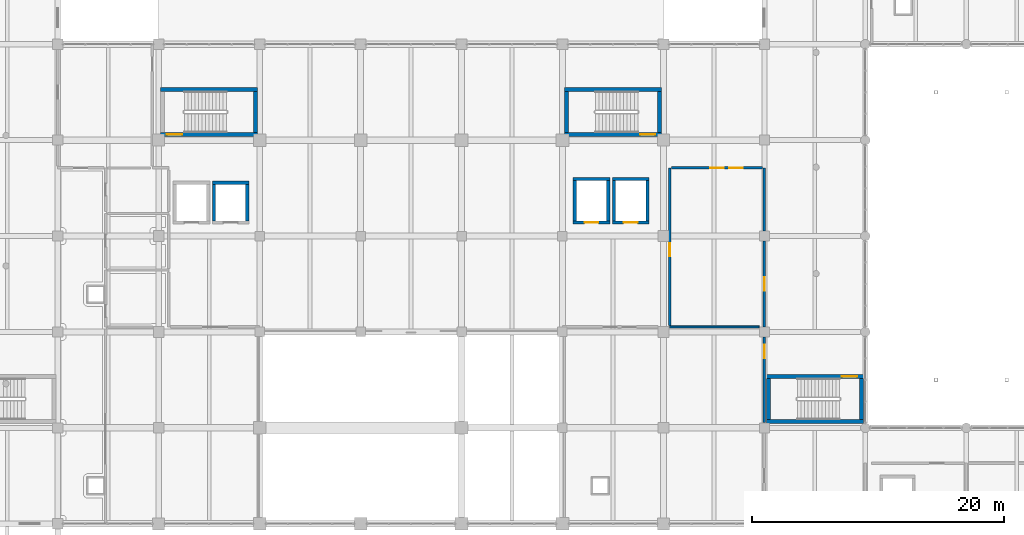
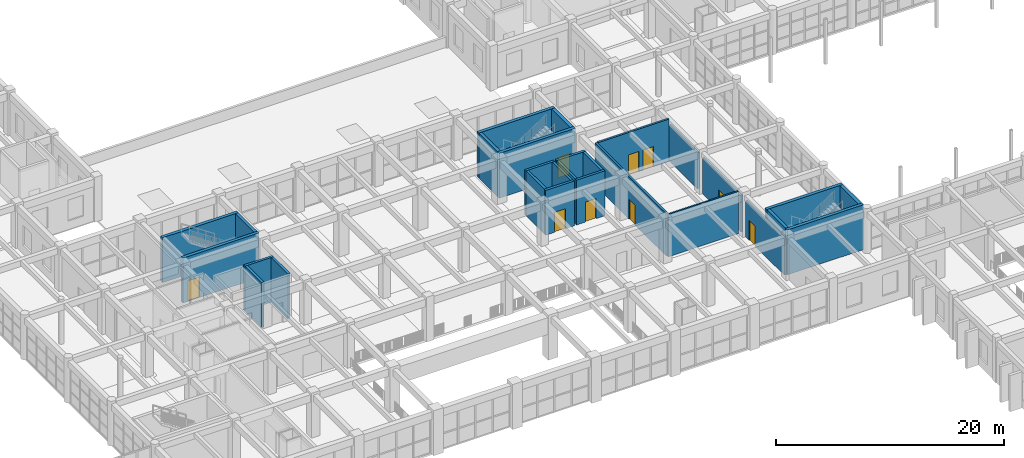
# One storey, part 75 of 101: 28 walls, 10 doors, 10 openings.
"""IFC4 building model written with IfcOpenShell, lengths in metres."""

from ifc_helpers import new_model, si_unit, direction, frame, frame_2d, origin, place, context, subcontext, project, spatial, rectangle, extrude, material, layer, layer_set, type_object, element, fill, save


model = new_model("IFC4")

# Units and contexts
model_context = context("Model", 3, precision=1e-05, world=origin(), true_north=direction((0.0, 1.0)))
body_context = subcontext(model_context, "Body", "Model", "MODEL_VIEW")
ifc_project = project(units=[si_unit("LENGTHUNIT", "METRE"), si_unit("AREAUNIT", "SQUARE_METRE"), si_unit("VOLUMEUNIT", "CUBIC_METRE"), si_unit("PLANEANGLEUNIT", "RADIAN"), si_unit("MASSUNIT", "GRAM", prefix="KILO")], contexts=[model_context])

# Site, building, storey
site_placement = place(None, origin())
site = spatial("IfcSite", under=ifc_project, at=site_placement, CompositionType="ELEMENT")
building_placement = place(site_placement, origin())
building = spatial("IfcBuilding", under=site, at=building_placement, Name="Zantavel Square City Hall", CompositionType="ELEMENT")
storey_placement = place(building_placement, frame((0.0, 0.0, 5.39990234375)))
storey = spatial("IfcBuildingStorey", under=building, at=storey_placement, Name="L02", CompositionType="ELEMENT", Elevation=5.39990234375)

# Walls
ifc_material_1 = material(Name="Concrete C40/50", Category="concrete")
ifc_layer_1 = layer(ifc_material_1, 0.320068359375, Name="Concrete C40/50")
ifc_layer_set_1 = layer_set([ifc_layer_1], Name="Concrete C40/50")
wall_type_1 = type_object("IfcWallType", Name="Core Shear Wall RC 320mm C40/50", PredefinedType="SHEAR", material=ifc_layer_set_1)
wall_1_placement = place(storey_placement, frame((119.85009765625, 38.489990234375, 0.0), z_axis=(0.0, 0.0, 1.0), x_axis=(-1.0, 0.0, 0.0)))
element("IfcWall", 1, at=wall_1_placement, inside=storey, type_object=wall_type_1, Name="L02 Exit Stair 4 East Annex Core Shear Wall South", PredefinedType="SHEAR", context=body_context, shape_type="SweptSolid", body=[
    extrude(rectangle(XDim=7.7001953125, YDim=0.320068359375, at=frame_2d((3.85009765625, 0.0))), origin(), (0.0, 0.0, 1.0), 4.800048828125),
])
wall_2_placement = place(storey_placement, frame((112.31005859375, 38.64990234375, 0.0), z_axis=(0.0, 0.0, 1.0), x_axis=(0.0, 1.0, 0.0)))
element("IfcWall", 2, at=wall_2_placement, inside=storey, type_object=wall_type_1, Name="L02 Exit Stair 4 East Annex Core Shear Wall West", PredefinedType="SHEAR", context=body_context, shape_type="SweptSolid", body=[
    extrude(rectangle(XDim=3.27001953125, YDim=0.320068359375, at=frame_2d((1.635009765625, 0.0))), origin(), (0.0, 0.0, 1.0), 4.800048828125),
])

# Wall, opening, door
wall_3_placement = place(storey_placement, frame((112.14990234375, 42.080078125, 0.0), z_axis=(0.0, 0.0, 1.0), x_axis=(1.0, 0.0, 0.0)))
wall_3 = element("IfcWall", 3, at=wall_3_placement, inside=storey, type_object=wall_type_1, Name="L02 Exit Stair 4 East Annex Core Shear Wall North", PredefinedType="SHEAR", context=body_context, shape_type="SweptSolid", body=[
    extrude(rectangle(XDim=7.7001953125, YDim=0.320068359375, at=frame_2d((3.85009765625, 0.0))), origin(), (0.0, 0.0, 1.0), 4.800048828125),
])
opening_1_placement = place(wall_3_placement, frame((6.0, 0.0, 0.0)))
opening_1 = element("IfcOpeningElement", 4, at=opening_1_placement, cuts=wall_3, Name="Opening SD-018", PredefinedType="OPENING", context=body_context, shape_type="SweptSolid", body=[
    extrude(rectangle(XDim=1.199951171875, YDim=2.199951171875, at=frame_2d((0.60009765625, 1.10009765625))), frame((0.0, 0.169921875, 0.0), z_axis=(0.0, -1.0, 0.0), x_axis=(1.0, 0.0, 0.0)), (0.0, 0.0, 1.0), 0.340087890625),
])
ifc_material_2 = material(Name="Steel ASTM A500 Grade B", Category="steel")
door_type_1 = type_object("IfcDoorType", Name="Enclosed Exit Stairwell Fire Door 1200x2200 FD90S", OperationType="NOTDEFINED", PredefinedType="DOOR", material=ifc_material_2)
door_1_placement = place(opening_1_placement, origin())
door_1 = element("IfcDoor", 5, at=door_1_placement, inside=storey, type_object=door_type_1, Name="L02 Exit Stair 4 East Annex Core Fire Door", OperationType="SINGLE_SWING_RIGHT", OverallHeight=2.199951171875, OverallWidth=1.199951171875, PredefinedType="DOOR", context=body_context, shape_type="SweptSolid", body=[
    extrude(rectangle(XDim=1.199951171875, YDim=2.199951171875, at=frame_2d((0.60009765625, 1.10009765625))), frame((0.0, 0.02490234375, 0.0), z_axis=(0.0, -1.0, 0.0), x_axis=(1.0, 0.0, 0.0)), (0.0, 0.0, 1.0), 0.050048828125),
])
fill(opening_1, door_1)

# Wall
wall_4_placement = place(storey_placement, frame((119.68994140625, 41.919921875, 0.0), z_axis=(0.0, 0.0, 1.0), x_axis=(0.0, -1.0, 0.0)))
element("IfcWall", 6, at=wall_4_placement, inside=storey, type_object=wall_type_1, Name="L02 Exit Stair 4 East Annex Core Shear Wall East", PredefinedType="SHEAR", context=body_context, shape_type="SweptSolid", body=[
    extrude(rectangle(XDim=3.27001953125, YDim=0.320068359375, at=frame_2d((1.635009765625, 0.0))), origin(), (0.0, 0.0, 1.0), 4.800048828125),
])

# Wall, opening, door
wall_5_placement = place(storey_placement, frame((71.85009765625, 61.239990234375, 0.0), z_axis=(0.0, 0.0, 1.0), x_axis=(-1.0, 0.0, 0.0)))
wall_5 = element("IfcWall", 7, at=wall_5_placement, inside=storey, type_object=wall_type_1, Name="L02 Exit Stair 5 Central West Core Shear Wall South", PredefinedType="SHEAR", context=body_context, shape_type="SweptSolid", body=[
    extrude(rectangle(XDim=7.7001953125, YDim=0.320068359375, at=frame_2d((3.85009765625, 0.0))), origin(), (0.0, 0.0, 1.0), 4.800048828125),
])
opening_2_placement = place(wall_5_placement, frame((6.0, 0.0, 0.0)))
opening_2 = element("IfcOpeningElement", 8, at=opening_2_placement, cuts=wall_5, Name="Opening SD-021", PredefinedType="OPENING", context=body_context, shape_type="SweptSolid", body=[
    extrude(rectangle(XDim=1.199951171875, YDim=2.199951171875, at=frame_2d((0.60009765625, 1.10009765625))), frame((0.0, 0.169921875, 0.0), z_axis=(0.0, -1.0, 0.0), x_axis=(1.0, 0.0, 0.0)), (0.0, 0.0, 1.0), 0.340087890625),
])
door_2_placement = place(opening_2_placement, origin())
door_2 = element("IfcDoor", 9, at=door_2_placement, inside=storey, type_object=door_type_1, Name="L02 Exit Stair 5 Central West Core Fire Door", OperationType="SINGLE_SWING_LEFT", OverallHeight=2.199951171875, OverallWidth=1.199951171875, PredefinedType="DOOR", context=body_context, shape_type="SweptSolid", body=[
    extrude(rectangle(XDim=1.199951171875, YDim=2.199951171875, at=frame_2d((0.60009765625, 1.10009765625))), frame((0.0, 0.02490234375, 0.0), z_axis=(0.0, -1.0, 0.0), x_axis=(1.0, 0.0, 0.0)), (0.0, 0.0, 1.0), 0.050048828125),
])
fill(opening_2, door_2)

# Walls
wall_6_placement = place(storey_placement, frame((64.14990234375, 64.830078125, 0.0), z_axis=(0.0, 0.0, 1.0), x_axis=(1.0, 0.0, 0.0)))
element("IfcWall", 10, at=wall_6_placement, inside=storey, type_object=wall_type_1, Name="L02 Exit Stair 5 Central West Core Shear Wall North", PredefinedType="SHEAR", context=body_context, shape_type="SweptSolid", body=[
    extrude(rectangle(XDim=7.7001953125, YDim=0.320068359375, at=frame_2d((3.85009765625, 0.0))), origin(), (0.0, 0.0, 1.0), 4.800048828125),
])
wall_7_placement = place(storey_placement, frame((71.68994140625, 64.669921875, 0.0), z_axis=(0.0, 0.0, 1.0), x_axis=(0.0, -1.0, 0.0)))
element("IfcWall", 11, at=wall_7_placement, inside=storey, type_object=wall_type_1, Name="L02 Exit Stair 5 Central West Core Shear Wall East", PredefinedType="SHEAR", context=body_context, shape_type="SweptSolid", body=[
    extrude(rectangle(XDim=3.27001953125, YDim=0.320068359375, at=frame_2d((1.635009765625, 0.0))), origin(), (0.0, 0.0, 1.0), 4.800048828125),
])

# Wall, opening, door
wall_8_placement = place(storey_placement, frame((103.85009765625, 61.239990234375, 0.0), z_axis=(0.0, 0.0, 1.0), x_axis=(-1.0, 0.0, 0.0)))
wall_8 = element("IfcWall", 12, at=wall_8_placement, inside=storey, type_object=wall_type_1, Name="L02 Exit Stair 6 Central East Core Shear Wall South", PredefinedType="SHEAR", context=body_context, shape_type="SweptSolid", body=[
    extrude(rectangle(XDim=7.7001953125, YDim=0.320068359375, at=frame_2d((3.85009765625, 0.0))), origin(), (0.0, 0.0, 1.0), 4.800048828125),
])
opening_3_placement = place(wall_8_placement, frame((0.5, 0.0, 0.0)))
opening_3 = element("IfcOpeningElement", 13, at=opening_3_placement, cuts=wall_8, Name="Opening SD-028", PredefinedType="OPENING", context=body_context, shape_type="SweptSolid", body=[
    extrude(rectangle(XDim=1.199951171875, YDim=2.199951171875, at=frame_2d((0.60009765625, 1.10009765625))), frame((0.0, 0.169921875, 0.0), z_axis=(0.0, -1.0, 0.0), x_axis=(1.0, 0.0, 0.0)), (0.0, 0.0, 1.0), 0.340087890625),
])
door_3_placement = place(opening_3_placement, origin())
door_3 = element("IfcDoor", 14, at=door_3_placement, inside=storey, type_object=door_type_1, Name="L02 Exit Stair 6 Central East Core Fire Door", OperationType="SINGLE_SWING_RIGHT", OverallHeight=2.199951171875, OverallWidth=1.199951171875, PredefinedType="DOOR", context=body_context, shape_type="SweptSolid", body=[
    extrude(rectangle(XDim=1.199951171875, YDim=2.199951171875, at=frame_2d((0.60009765625, 1.10009765625))), frame((0.0, 0.02490234375, 0.0), z_axis=(0.0, -1.0, 0.0), x_axis=(1.0, 0.0, 0.0)), (0.0, 0.0, 1.0), 0.050048828125),
])
fill(opening_3, door_3)

# Walls
wall_9_placement = place(storey_placement, frame((96.31005859375, 61.39990234375, 0.0), z_axis=(0.0, 0.0, 1.0), x_axis=(0.0, 1.0, 0.0)))
element("IfcWall", 15, at=wall_9_placement, inside=storey, type_object=wall_type_1, Name="L02 Exit Stair 6 Central East Core Shear Wall West", PredefinedType="SHEAR", context=body_context, shape_type="SweptSolid", body=[
    extrude(rectangle(XDim=3.27001953125, YDim=0.320068359375, at=frame_2d((1.635009765625, 0.0))), origin(), (0.0, 0.0, 1.0), 4.800048828125),
])
wall_10_placement = place(storey_placement, frame((96.14990234375, 64.830078125, 0.0), z_axis=(0.0, 0.0, 1.0), x_axis=(1.0, 0.0, 0.0)))
element("IfcWall", 16, at=wall_10_placement, inside=storey, type_object=wall_type_1, Name="L02 Exit Stair 6 Central East Core Shear Wall North", PredefinedType="SHEAR", context=body_context, shape_type="SweptSolid", body=[
    extrude(rectangle(XDim=7.7001953125, YDim=0.320068359375, at=frame_2d((3.85009765625, 0.0))), origin(), (0.0, 0.0, 1.0), 4.800048828125),
])
wall_11_placement = place(storey_placement, frame((103.68994140625, 64.669921875, 0.0), z_axis=(0.0, 0.0, 1.0), x_axis=(0.0, -1.0, 0.0)))
element("IfcWall", 17, at=wall_11_placement, inside=storey, type_object=wall_type_1, Name="L02 Exit Stair 6 Central East Core Shear Wall East", PredefinedType="SHEAR", context=body_context, shape_type="SweptSolid", body=[
    extrude(rectangle(XDim=3.27001953125, YDim=0.320068359375, at=frame_2d((1.635009765625, 0.0))), origin(), (0.0, 0.0, 1.0), 4.800048828125),
])
ifc_material_3 = material(Name="Gypsum acoustic stud assembly", Category="masonry")
ifc_layer_2 = layer(ifc_material_3, 0.14990234375, Name="Gypsum acoustic stud assembly")
ifc_layer_set_2 = layer_set([ifc_layer_2], Name="Gypsum acoustic stud assembly")
wall_type_2 = type_object("IfcWallType", Name="Department Office Partition 150mm", PredefinedType="PARTITIONING", material=ifc_layer_set_2)
wall_12_placement = place(storey_placement, frame((104.5, 46.0, 0.0), z_axis=(0.0, 0.0, 1.0), x_axis=(1.0, 0.0, 0.0)))
element("IfcWall", 18, at=wall_12_placement, inside=storey, type_object=wall_type_2, Name="L02 Interior Wall IW-L02-0193", PredefinedType="PARTITIONING", context=body_context, shape_type="SweptSolid", body=[
    extrude(rectangle(XDim=7.090087890625, YDim=0.14990234375, at=frame_2d((3.544921875, 0.0))), origin(), (0.0, 0.0, 1.0), 4.5400390625),
])

# Wall, opening, door
ifc_material_4 = material(Name="Cantera volcanic tuff stone", Category="masonry")
ifc_layer_3 = layer(ifc_material_4, 0.199951171875, Name="Cantera volcanic tuff stone")
ifc_layer_set_3 = layer_set([ifc_layer_3], Name="Cantera volcanic tuff stone")
wall_type_3 = type_object("IfcWallType", Name="Exit Corridor Rated Wall 200mm", PredefinedType="STANDARD", material=ifc_layer_set_3)
wall_13_placement = place(storey_placement, frame((112.0, 45.18994140625, 0.0), z_axis=(0.0, 0.0, 1.0), x_axis=(0.0, -1.0, 0.0)))
wall_13 = element("IfcWall", 19, at=wall_13_placement, inside=storey, type_object=wall_type_3, Name="L02 Interior Wall IW-L02-0194", PredefinedType="STANDARD", context=body_context, shape_type="SweptSolid", body=[
    extrude(rectangle(XDim=6.780029296875, YDim=0.199951171875, at=frame_2d((3.39013671875, 0.0))), origin(), (0.0, 0.0, 1.0), 3.8701171875),
])
opening_4_placement = place(wall_13_placement, frame((0.614990234375, 0.0, 0.0)))
opening_4 = element("IfcOpeningElement", 20, at=opening_4_placement, cuts=wall_13, Name="Opening D-0086", PredefinedType="OPENING", context=body_context, shape_type="SweptSolid", body=[
    extrude(rectangle(XDim=1.050048828125, YDim=2.14990234375, at=frame_2d((0.52490234375, 1.074951171875))), frame((0.0, 0.10986328125, 0.0), z_axis=(0.0, -1.0, 0.0), x_axis=(1.0, 0.0, 0.0)), (0.0, 0.0, 1.0), 0.219970703125),
])
ifc_material_5 = material(Name="Solid oak hardwood", Category="wood")
door_type_2 = type_object("IfcDoorType", Name="Corridor Office Oak Fire Door 1050x2150 FD60S", OperationType="NOTDEFINED", PredefinedType="DOOR", material=ifc_material_5)
door_4_placement = place(opening_4_placement, origin())
door_4 = element("IfcDoor", 21, at=door_4_placement, inside=storey, type_object=door_type_2, Name="L02 Civic Media Production Suite Door", OperationType="SINGLE_SWING_RIGHT", OverallHeight=2.14990234375, OverallWidth=1.050048828125, PredefinedType="DOOR", context=body_context, shape_type="SweptSolid", body=[
    extrude(rectangle(XDim=1.050048828125, YDim=2.14990234375, at=frame_2d((0.52490234375, 1.074951171875))), frame((0.0, 0.02490234375, 0.0), z_axis=(0.0, -1.0, 0.0), x_axis=(1.0, 0.0, 0.0)), (0.0, 0.0, 1.0), 0.050048828125),
])
fill(opening_4, door_4)

# Wall
wall_14_placement = place(storey_placement, frame((112.0, 58.60009765625, 0.0), z_axis=(0.0, 0.0, 1.0), x_axis=(0.0, -1.0, 0.0)))
element("IfcWall", 22, at=wall_14_placement, inside=storey, type_object=wall_type_3, Name="L02 Interior Wall IW-L02-0197", PredefinedType="STANDARD", context=body_context, shape_type="SweptSolid", body=[
    extrude(rectangle(XDim=4.989990234375, YDim=0.199951171875, at=frame_2d((2.4951171875, 0.0))), origin(), (0.0, 0.0, 1.0), 3.8701171875),
])

# Wall, opening, door
wall_15_placement = place(storey_placement, frame((112.0, 52.7900390625, 0.0), z_axis=(0.0, 0.0, 1.0), x_axis=(0.0, -1.0, 0.0)))
wall_15 = element("IfcWall", 23, at=wall_15_placement, inside=storey, type_object=wall_type_3, Name="L02 Interior Wall IW-L02-0198", PredefinedType="STANDARD", context=body_context, shape_type="SweptSolid", body=[
    extrude(rectangle(XDim=6.780029296875, YDim=0.199951171875, at=frame_2d((3.39013671875, 0.0))), origin(), (0.0, 0.0, 1.0), 3.8701171875),
])
opening_5_placement = place(wall_15_placement, frame((2.864990234375, 0.0, 0.0)))
opening_5 = element("IfcOpeningElement", 24, at=opening_5_placement, cuts=wall_15, Name="Opening D-0088", PredefinedType="OPENING", context=body_context, shape_type="SweptSolid", body=[
    extrude(rectangle(XDim=1.050048828125, YDim=2.14990234375, at=frame_2d((0.52490234375, 1.074951171875))), frame((0.0, 0.10986328125, 0.0), z_axis=(0.0, -1.0, 0.0), x_axis=(1.0, 0.0, 0.0)), (0.0, 0.0, 1.0), 0.219970703125),
])
door_5_placement = place(opening_5_placement, origin())
door_5 = element("IfcDoor", 25, at=door_5_placement, inside=storey, type_object=door_type_2, Name="L02 Public Transparency Office Door", OperationType="SINGLE_SWING_RIGHT", OverallHeight=2.14990234375, OverallWidth=1.050048828125, PredefinedType="DOOR", context=body_context, shape_type="SweptSolid", body=[
    extrude(rectangle(XDim=1.050048828125, YDim=2.14990234375, at=frame_2d((0.52490234375, 1.074951171875))), frame((0.0, 0.02490234375, 0.0), z_axis=(0.0, -1.0, 0.0), x_axis=(1.0, 0.0, 0.0)), (0.0, 0.0, 1.0), 0.050048828125),
])
fill(opening_5, door_5)

wall_16_placement = place(storey_placement, frame((104.5, 46.125, 0.0), z_axis=(0.0, 0.0, 1.0), x_axis=(0.0, 1.0, 0.0)))
wall_16 = element("IfcWall", 26, at=wall_16_placement, inside=storey, type_object=wall_type_3, Name="L02 Interior Wall IW-L02-0199", PredefinedType="STANDARD", context=body_context, shape_type="SweptSolid", body=[
    extrude(rectangle(XDim=12.47509765625, YDim=0.199951171875, at=frame_2d((6.237548828125, 0.0))), origin(), (0.0, 0.0, 1.0), 4.5400390625),
])
opening_6_placement = place(wall_16_placement, frame((5.46240234375, 0.0, 0.0)))
opening_6 = element("IfcOpeningElement", 27, at=opening_6_placement, cuts=wall_16, Name="Opening D-0089", PredefinedType="OPENING", context=body_context, shape_type="SweptSolid", body=[
    extrude(rectangle(XDim=1.050048828125, YDim=2.14990234375, at=frame_2d((0.52490234375, 1.074951171875))), frame((0.0, 0.10986328125, 0.0), z_axis=(0.0, -1.0, 0.0), x_axis=(1.0, 0.0, 0.0)), (0.0, 0.0, 1.0), 0.219970703125),
])
door_6_placement = place(opening_6_placement, origin())
door_6 = element("IfcDoor", 28, at=door_6_placement, inside=storey, type_object=door_type_2, Name="L02 Public Transparency Office Door", OperationType="SINGLE_SWING_LEFT", OverallHeight=2.14990234375, OverallWidth=1.050048828125, PredefinedType="DOOR", context=body_context, shape_type="SweptSolid", body=[
    extrude(rectangle(XDim=1.050048828125, YDim=2.14990234375, at=frame_2d((0.52490234375, 1.074951171875))), frame((0.0, 0.02490234375, 0.0), z_axis=(0.0, -1.0, 0.0), x_axis=(1.0, 0.0, 0.0)), (0.0, 0.0, 1.0), 0.050048828125),
])
fill(opening_6, door_6)

# Wall, openings, doors
wall_17_placement = place(storey_placement, frame((104.64990234375, 58.60009765625, 0.0), z_axis=(0.0, 0.0, 1.0), x_axis=(1.0, 0.0, 0.0)))
wall_17 = element("IfcWall", 29, at=wall_17_placement, inside=storey, type_object=wall_type_3, Name="L02 Interior Wall IW-L02-0200", PredefinedType="STANDARD", context=body_context, shape_type="SweptSolid", body=[
    extrude(rectangle(XDim=7.2001953125, YDim=0.199951171875, at=frame_2d((3.60009765625, 0.0))), origin(), (0.0, 0.0, 1.0), 4.5400390625),
])
opening_7_placement = place(wall_17_placement, frame((3.074951171875, 0.0, 0.0)))
opening_7 = element("IfcOpeningElement", 30, at=opening_7_placement, cuts=wall_17, Name="Opening D-0090", PredefinedType="OPENING", context=body_context, shape_type="SweptSolid", body=[
    extrude(rectangle(XDim=1.050048828125, YDim=2.14990234375, at=frame_2d((0.52490234375, 1.074951171875))), frame((0.0, 0.10986328125, 0.0), z_axis=(0.0, -1.0, 0.0), x_axis=(1.0, 0.0, 0.0)), (0.0, 0.0, 1.0), 0.219970703125),
])
opening_8_placement = place(wall_17_placement, frame((4.574951171875, 0.0, 0.0)))
opening_8 = element("IfcOpeningElement", 31, at=opening_8_placement, cuts=wall_17, Name="Opening D-0110", PredefinedType="OPENING", context=body_context, shape_type="SweptSolid", body=[
    extrude(rectangle(XDim=1.050048828125, YDim=2.14990234375, at=frame_2d((0.52490234375, 1.074951171875))), frame((0.0, 0.10986328125, 0.0), z_axis=(0.0, -1.0, 0.0), x_axis=(1.0, 0.0, 0.0)), (0.0, 0.0, 1.0), 0.219970703125),
])
door_7_placement = place(opening_7_placement, origin())
door_7 = element("IfcDoor", 32, at=door_7_placement, inside=storey, type_object=door_type_2, Name="L02 Public Transparency Office Door", OperationType="SINGLE_SWING_RIGHT", OverallHeight=2.14990234375, OverallWidth=1.050048828125, PredefinedType="DOOR", context=body_context, shape_type="SweptSolid", body=[
    extrude(rectangle(XDim=1.050048828125, YDim=2.14990234375, at=frame_2d((0.52490234375, 1.074951171875))), frame((0.0, 0.02490234375, 0.0), z_axis=(0.0, -1.0, 0.0), x_axis=(1.0, 0.0, 0.0)), (0.0, 0.0, 1.0), 0.050048828125),
])
fill(opening_7, door_7)
door_8_placement = place(opening_8_placement, origin())
door_8 = element("IfcDoor", 33, at=door_8_placement, inside=storey, type_object=door_type_2, Name="L02 Public Transparency Office Door", OperationType="SINGLE_SWING_RIGHT", OverallHeight=2.14990234375, OverallWidth=1.050048828125, PredefinedType="DOOR", context=body_context, shape_type="SweptSolid", body=[
    extrude(rectangle(XDim=1.050048828125, YDim=2.14990234375, at=frame_2d((0.52490234375, 1.074951171875))), frame((0.0, 0.02490234375, 0.0), z_axis=(0.0, -1.0, 0.0), x_axis=(1.0, 0.0, 0.0)), (0.0, 0.0, 1.0), 0.050048828125),
])
fill(opening_8, door_8)

# Walls
ifc_layer_4 = layer(ifc_material_1, 0.25, Name="Concrete C40/50")
ifc_layer_set_4 = layer_set([ifc_layer_4], Name="Concrete C40/50")
wall_type_4 = type_object("IfcWallType", Name="Lift Shaft Wall RC 250mm C40/50", PredefinedType="SHEAR", material=ifc_layer_set_4)
wall_18_placement = place(storey_placement, frame((68.375, 54.39990234375, 0.0), z_axis=(0.0, 0.0, 1.0), x_axis=(0.0, 1.0, 0.0)))
element("IfcWall", 34, at=wall_18_placement, inside=storey, type_object=wall_type_4, Name="L02 Lift LF02 Shaft Wall West", PredefinedType="SHEAR", context=body_context, shape_type="SweptSolid", body=[
    extrude(rectangle(XDim=2.900146484375, YDim=0.25, at=frame_2d((1.4501953125, 0.0))), origin(), (0.0, 0.0, 1.0), 4.800048828125),
])
wall_19_placement = place(storey_placement, frame((68.25, 57.425048828125, 0.0), z_axis=(0.0, 0.0, 1.0), x_axis=(1.0, 0.0, 0.0)))
element("IfcWall", 35, at=wall_19_placement, inside=storey, type_object=wall_type_4, Name="L02 Lift LF02 Shaft Wall North", PredefinedType="SHEAR", context=body_context, shape_type="SweptSolid", body=[
    extrude(rectangle(XDim=2.89990234375, YDim=0.25, at=frame_2d((1.449951171875, 0.0))), origin(), (0.0, 0.0, 1.0), 4.800048828125),
])
wall_20_placement = place(storey_placement, frame((71.02490234375, 57.300048828125, 0.0), z_axis=(0.0, 0.0, 1.0), x_axis=(0.0, -1.0, 0.0)))
element("IfcWall", 36, at=wall_20_placement, inside=storey, type_object=wall_type_4, Name="L02 Lift LF02 Shaft Wall East", PredefinedType="SHEAR", context=body_context, shape_type="SweptSolid", body=[
    extrude(rectangle(XDim=2.900146484375, YDim=0.25, at=frame_2d((1.4501953125, 0.0))), origin(), (0.0, 0.0, 1.0), 4.800048828125),
])

# Wall, opening, door
wall_21_placement = place(storey_placement, frame((99.75, 54.27490234375, 0.0), z_axis=(0.0, 0.0, 1.0), x_axis=(-1.0, 0.0, 0.0)))
wall_21 = element("IfcWall", 37, at=wall_21_placement, inside=storey, type_object=wall_type_4, Name="L02 Lift LF03 Shaft Wall South", PredefinedType="SHEAR", context=body_context, shape_type="SweptSolid", body=[
    extrude(rectangle(XDim=2.89990234375, YDim=0.25, at=frame_2d((1.449951171875, 0.0))), origin(), (0.0, 0.0, 1.0), 4.800048828125),
])
opening_9_placement = place(wall_21_placement, frame((0.89990234375, 0.0, 0.0)))
opening_9 = element("IfcOpeningElement", 38, at=opening_9_placement, cuts=wall_21, Name="Opening LD-LF03-L02", PredefinedType="OPENING", context=body_context, shape_type="SweptSolid", body=[
    extrude(rectangle(XDim=1.10009765625, YDim=2.14990234375, at=frame_2d((0.550048828125, 1.074951171875))), frame((0.0, 0.135009765625, 0.0), z_axis=(0.0, -1.0, 0.0), x_axis=(1.0, 0.0, 0.0)), (0.0, 0.0, 1.0), 0.27001953125),
])
ifc_material_6 = material(Name="Stainless steel 316", Category="steel")
door_type_3 = type_object("IfcDoorType", Name="Lift Landing Sliding Door 1100x2150 FD90S", OperationType="NOTDEFINED", PredefinedType="DOOR", material=ifc_material_6)
door_9_placement = place(opening_9_placement, origin())
door_9 = element("IfcDoor", 39, at=door_9_placement, inside=storey, type_object=door_type_3, Name="L02 Lift LF03 Sliding Landing Door", OperationType="DOUBLE_DOOR_SLIDING", OverallHeight=2.14990234375, OverallWidth=1.10009765625, PredefinedType="DOOR", context=body_context, shape_type="SweptSolid", body=[
    extrude(rectangle(XDim=1.10009765625, YDim=2.14990234375, at=frame_2d((0.550048828125, 1.074951171875))), frame((0.0, 0.02490234375, 0.0), z_axis=(0.0, -1.0, 0.0), x_axis=(1.0, 0.0, 0.0)), (0.0, 0.0, 1.0), 0.050048828125),
])
fill(opening_9, door_9)

# Walls
wall_22_placement = place(storey_placement, frame((96.97509765625, 54.39990234375, 0.0), z_axis=(0.0, 0.0, 1.0), x_axis=(0.0, 1.0, 0.0)))
element("IfcWall", 40, at=wall_22_placement, inside=storey, type_object=wall_type_4, Name="L02 Lift LF03 Shaft Wall West", PredefinedType="SHEAR", context=body_context, shape_type="SweptSolid", body=[
    extrude(rectangle(XDim=3.2001953125, YDim=0.25, at=frame_2d((1.60009765625, 0.0))), origin(), (0.0, 0.0, 1.0), 4.800048828125),
])
wall_23_placement = place(storey_placement, frame((96.85009765625, 57.72509765625, 0.0), z_axis=(0.0, 0.0, 1.0), x_axis=(1.0, 0.0, 0.0)))
element("IfcWall", 41, at=wall_23_placement, inside=storey, type_object=wall_type_4, Name="L02 Lift LF03 Shaft Wall North", PredefinedType="SHEAR", context=body_context, shape_type="SweptSolid", body=[
    extrude(rectangle(XDim=2.89990234375, YDim=0.25, at=frame_2d((1.449951171875, 0.0))), origin(), (0.0, 0.0, 1.0), 4.800048828125),
])
wall_24_placement = place(storey_placement, frame((99.625, 57.60009765625, 0.0), z_axis=(0.0, 0.0, 1.0), x_axis=(0.0, -1.0, 0.0)))
element("IfcWall", 42, at=wall_24_placement, inside=storey, type_object=wall_type_4, Name="L02 Lift LF03 Shaft Wall East", PredefinedType="SHEAR", context=body_context, shape_type="SweptSolid", body=[
    extrude(rectangle(XDim=3.2001953125, YDim=0.25, at=frame_2d((1.60009765625, 0.0))), origin(), (0.0, 0.0, 1.0), 4.800048828125),
])

# Wall, opening, door
wall_25_placement = place(storey_placement, frame((102.85009765625, 54.27490234375, 0.0), z_axis=(0.0, 0.0, 1.0), x_axis=(-1.0, 0.0, 0.0)))
wall_25 = element("IfcWall", 43, at=wall_25_placement, inside=storey, type_object=wall_type_4, Name="L02 Lift LF04 Shaft Wall South", PredefinedType="SHEAR", context=body_context, shape_type="SweptSolid", body=[
    extrude(rectangle(XDim=2.900146484375, YDim=0.25, at=frame_2d((1.4501953125, 0.0))), origin(), (0.0, 0.0, 1.0), 4.800048828125),
])
opening_10_placement = place(wall_25_placement, frame((0.89990234375, 0.0, 0.0)))
opening_10 = element("IfcOpeningElement", 44, at=opening_10_placement, cuts=wall_25, Name="Opening LD-LF04-L02", PredefinedType="OPENING", context=body_context, shape_type="SweptSolid", body=[
    extrude(rectangle(XDim=1.10009765625, YDim=2.14990234375, at=frame_2d((0.550048828125, 1.074951171875))), frame((0.0, 0.135009765625, 0.0), z_axis=(0.0, -1.0, 0.0), x_axis=(1.0, 0.0, 0.0)), (0.0, 0.0, 1.0), 0.27001953125),
])
door_10_placement = place(opening_10_placement, origin())
door_10 = element("IfcDoor", 45, at=door_10_placement, inside=storey, type_object=door_type_3, Name="L02 Lift LF04 Sliding Landing Door", OperationType="DOUBLE_DOOR_SLIDING", OverallHeight=2.14990234375, OverallWidth=1.10009765625, PredefinedType="DOOR", context=body_context, shape_type="SweptSolid", body=[
    extrude(rectangle(XDim=1.10009765625, YDim=2.14990234375, at=frame_2d((0.550048828125, 1.074951171875))), frame((0.0, 0.02490234375, 0.0), z_axis=(0.0, -1.0, 0.0), x_axis=(1.0, 0.0, 0.0)), (0.0, 0.0, 1.0), 0.050048828125),
])
fill(opening_10, door_10)

# Walls
wall_26_placement = place(storey_placement, frame((100.074951171875, 54.39990234375, 0.0), z_axis=(0.0, 0.0, 1.0), x_axis=(0.0, 1.0, 0.0)))
element("IfcWall", 46, at=wall_26_placement, inside=storey, type_object=wall_type_4, Name="L02 Lift LF04 Shaft Wall West", PredefinedType="SHEAR", context=body_context, shape_type="SweptSolid", body=[
    extrude(rectangle(XDim=3.2001953125, YDim=0.25, at=frame_2d((1.60009765625, 0.0))), origin(), (0.0, 0.0, 1.0), 4.800048828125),
])
wall_27_placement = place(storey_placement, frame((99.949951171875, 57.72509765625, 0.0), z_axis=(0.0, 0.0, 1.0), x_axis=(1.0, 0.0, 0.0)))
element("IfcWall", 47, at=wall_27_placement, inside=storey, type_object=wall_type_4, Name="L02 Lift LF04 Shaft Wall North", PredefinedType="SHEAR", context=body_context, shape_type="SweptSolid", body=[
    extrude(rectangle(XDim=2.900146484375, YDim=0.25, at=frame_2d((1.4501953125, 0.0))), origin(), (0.0, 0.0, 1.0), 4.800048828125),
])
wall_28_placement = place(storey_placement, frame((102.72509765625, 57.60009765625, 0.0), z_axis=(0.0, 0.0, 1.0), x_axis=(0.0, -1.0, 0.0)))
element("IfcWall", 48, at=wall_28_placement, inside=storey, type_object=wall_type_4, Name="L02 Lift LF04 Shaft Wall East", PredefinedType="SHEAR", context=body_context, shape_type="SweptSolid", body=[
    extrude(rectangle(XDim=3.2001953125, YDim=0.25, at=frame_2d((1.60009765625, 0.0))), origin(), (0.0, 0.0, 1.0), 4.800048828125),
])

save(model, "model.ifc")
